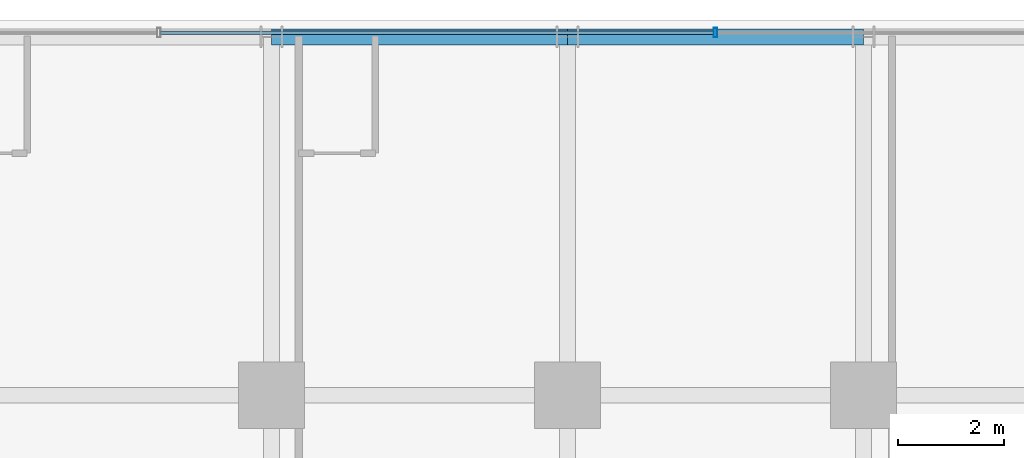
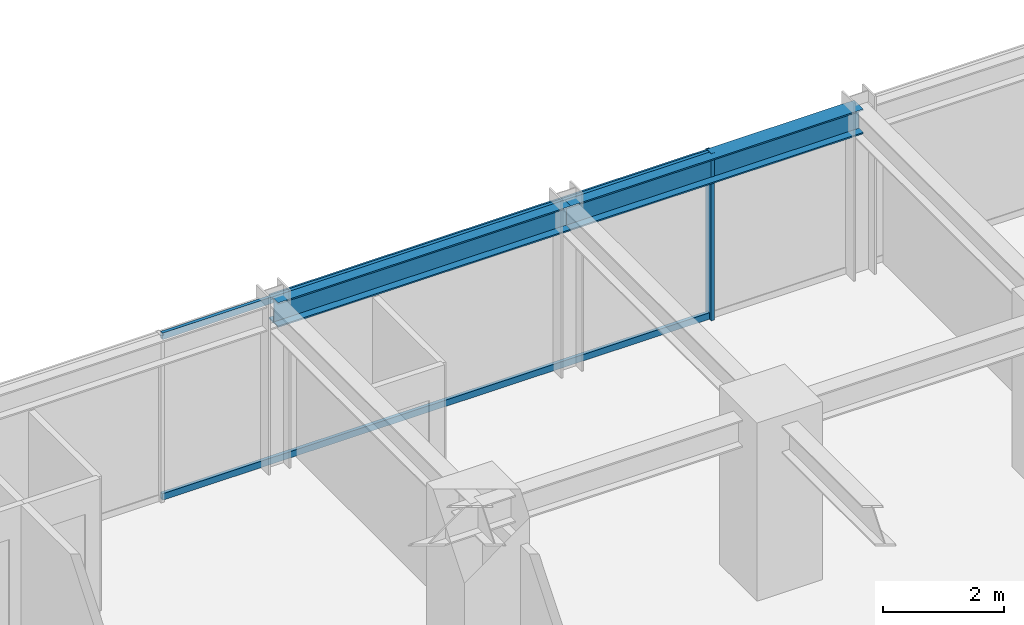
# One storey, part 20 of 33: 3 members, 2 beams, 1 element without a shape of its own.
"""IFC4 building model written with IfcOpenShell, lengths in metres."""

from ifc_helpers import new_model, si_unit, direction, frame, origin, origin_2d, place, context, subcontext, project, spatial, hollow_rectangle, i_section, extrude, source, transform, mapped, material, material_profile, profile_set, type_object, element, aggregate, save


model = new_model("IFC4")

# Units and contexts
model_context = context("Model", 3, precision=1e-05, world=origin(), true_north=direction((0.0, 1.0)))
body_context = subcontext(model_context, "Body", "Model", "MODEL_VIEW")
ifc_project = project(units=[si_unit("LENGTHUNIT", "METRE"), si_unit("AREAUNIT", "SQUARE_METRE"), si_unit("VOLUMEUNIT", "CUBIC_METRE"), si_unit("PLANEANGLEUNIT", "RADIAN"), si_unit("MASSUNIT", "GRAM", prefix="KILO")], contexts=[model_context])

# Site, building, storey
site_placement = place(None, origin())
site = spatial("IfcSite", under=ifc_project, at=site_placement, CompositionType="ELEMENT")
building_placement = place(site_placement, origin())
building = spatial("IfcBuilding", under=site, at=building_placement, Name="Nahalor Promenade Grand Hotel", CompositionType="ELEMENT")
storey_placement = place(building_placement, frame((0.0, 0.0, 117.5)))
storey = spatial("IfcBuildingStorey", under=building, at=storey_placement, Name="L29", CompositionType="ELEMENT", Elevation=117.5)

# Beams
ifc_material_1 = material(Name="Steel S355JR", Category="steel")
ifc_material_profile_1 = material_profile(ifc_material_1, i_section(OverallWidth=0.3, OverallDepth=0.5, WebThickness=0.0145, FlangeThickness=0.028, at=origin_2d()), Name="HEB 500")
ifc_profile_set_1 = profile_set([ifc_material_profile_1], Name="Steel S355JR")
beam_type = type_object("IfcBeamType", Name="Beam-Spandrel-HEB500", PredefinedType="SPANDREL", material=ifc_profile_set_1)
shared_shape_1 = source(origin(), body_context, "Body", "SweptSolid", [
    extrude(i_section(OverallWidth=0.3, OverallDepth=0.5, WebThickness=0.0145, FlangeThickness=0.028, at=origin_2d()), origin(), (0.0, 0.0, 1.0), 5.599853515625),
])
beam_1_placement = place(storey_placement, frame((-8.39990234375, 23.780029296875, 3.1298828125), z_axis=(1.0, 0.0, 0.0), x_axis=(0.0, 1.0, 0.0)))
element("IfcBeam", 1, at=beam_1_placement, inside=storey, type_object=beam_type, Name="BM-L29-SP-N-1", PredefinedType="SPANDREL", context=body_context, shape_type="MappedRepresentation", body=[
    mapped(shared_shape_1, transform((0.0, 0.0, 0.0), scale=1.0)),
])
shared_shape_2 = source(origin(), body_context, "Body", "SweptSolid", [
    extrude(i_section(OverallWidth=0.3, OverallDepth=0.5, WebThickness=0.0145, FlangeThickness=0.028, at=origin_2d()), origin(), (0.0, 0.0, 1.0), 5.60009765625),
])
beam_2_placement = place(storey_placement, frame((-2.800048828125, 23.780029296875, 3.1298828125), z_axis=(1.0, 0.0, 0.0), x_axis=(0.0, 1.0, 0.0)))
element("IfcBeam", 2, at=beam_2_placement, inside=storey, type_object=beam_type, Name="BM-L29-SP-N-2", PredefinedType="SPANDREL", context=body_context, shape_type="MappedRepresentation", body=[
    mapped(shared_shape_2, transform((0.0, 0.0, 0.0), scale=1.0)),
])

# Curtain wall, members
ifc_material_2 = material(Name="Anodised Bronze Aluminium EN AW-6063 T6", Category="aluminium")
curtain_wall_type = type_object("IfcCurtainWallType", Name="CW2 Typical Hotel Flush Bronze Unitised Curtain Wall", PredefinedType="USERDEFINED", material=ifc_material_2)
curtain_wall_placement = place(storey_placement, origin())
curtain_wall = element("IfcCurtainWall", 3, at=curtain_wall_placement, inside=storey, type_object=curtain_wall_type, Name="L29 Curtain Wall CW-L29-N-1", ObjectType="UNITISED_CURTAIN_WALL", PredefinedType="USERDEFINED")
ifc_material_profile_2 = material_profile(ifc_material_2, hollow_rectangle(XDim=0.065, YDim=0.18, WallThickness=0.004, at=origin_2d()), Name="CWM 65x180x4")
ifc_profile_set_2 = profile_set([ifc_material_profile_2], Name="Anodised Bronze Aluminium EN AW-6063 T6")
member_type_1 = type_object("IfcMemberType", Name="CWM2 Typical Bronze Mullion 65x180", PredefinedType="MULLION", material=ifc_profile_set_2)
shared_shape_3 = source(origin(), body_context, "Body", "SweptSolid", [
    extrude(hollow_rectangle(XDim=0.065, YDim=0.18, WallThickness=0.004, at=origin_2d()), origin(), (0.0, 0.0, 1.0), 3.3798828125),
])
member_1_placement = place(storey_placement, frame((0.0, 23.860107421875, 0.0), z_axis=(0.0, 0.0, 1.0), x_axis=(1.0, 0.0, 0.0)))
member_1 = element("IfcMember", 4, at=member_1_placement, type_object=member_type_1, Name="CW-L29-N-1 Mullion 2", PredefinedType="MULLION", context=body_context, shape_type="MappedRepresentation", body=[
    mapped(shared_shape_3, transform((0.0, 0.0, 0.0), scale=1.0)),
])
ifc_material_profile_3 = material_profile(ifc_material_2, hollow_rectangle(XDim=0.065, YDim=0.13, WallThickness=0.004, at=origin_2d()), Name="CWT 65x130x4")
ifc_profile_set_3 = profile_set([ifc_material_profile_3], Name="Anodised Bronze Aluminium EN AW-6063 T6")
member_type_2 = type_object("IfcMemberType", Name="CWT2 Typical Bronze Transom 65x130", PredefinedType="USERDEFINED", material=ifc_profile_set_3)
shared_shape_4 = source(origin(), body_context, "Body", "SweptSolid", [
    extrude(hollow_rectangle(XDim=0.065, YDim=0.13, WallThickness=0.004, at=origin_2d()), origin(), (0.0, 0.0, 1.0), 10.465087890625),
])
member_2_placement = place(storey_placement, frame((-10.49755859375, 23.860107421875, 0.06494140625), z_axis=(1.0, 0.0, 0.0), x_axis=(0.0, 1.0, 0.0)))
member_2 = element("IfcMember", 5, at=member_2_placement, type_object=member_type_2, Name="CW-L29-N-1 Transom 1-0", ObjectType="TRANSOM", PredefinedType="USERDEFINED", context=body_context, shape_type="MappedRepresentation", body=[
    mapped(shared_shape_4, transform((0.0, 0.0, 0.0), scale=1.0)),
])
member_3_placement = place(storey_placement, frame((-10.49755859375, 23.860107421875, 3.31494140625), z_axis=(1.0, 0.0, 0.0), x_axis=(0.0, 1.0, 0.0)))
member_3 = element("IfcMember", 6, at=member_3_placement, type_object=member_type_2, Name="CW-L29-N-1 Transom 1-1", ObjectType="TRANSOM", PredefinedType="USERDEFINED", context=body_context, shape_type="MappedRepresentation", body=[
    mapped(shared_shape_4, transform((0.0, 0.0, 0.0), scale=1.0)),
])
aggregate(curtain_wall, [member_1, member_2, member_3])

save(model, "model.ifc")
